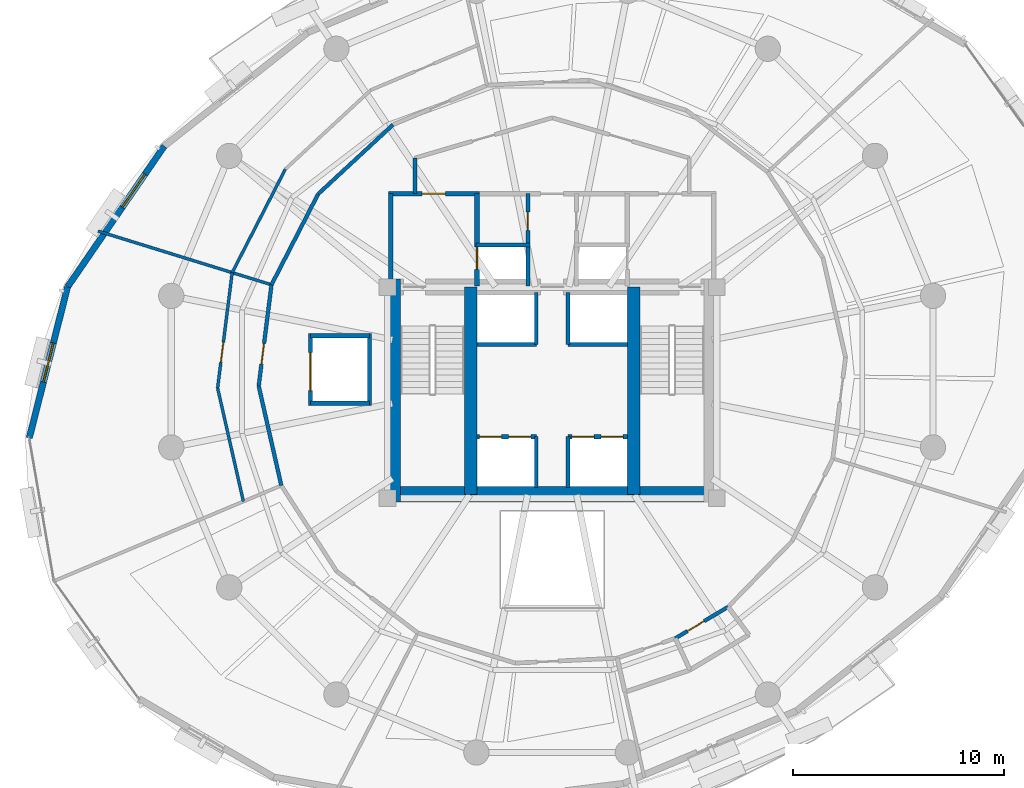
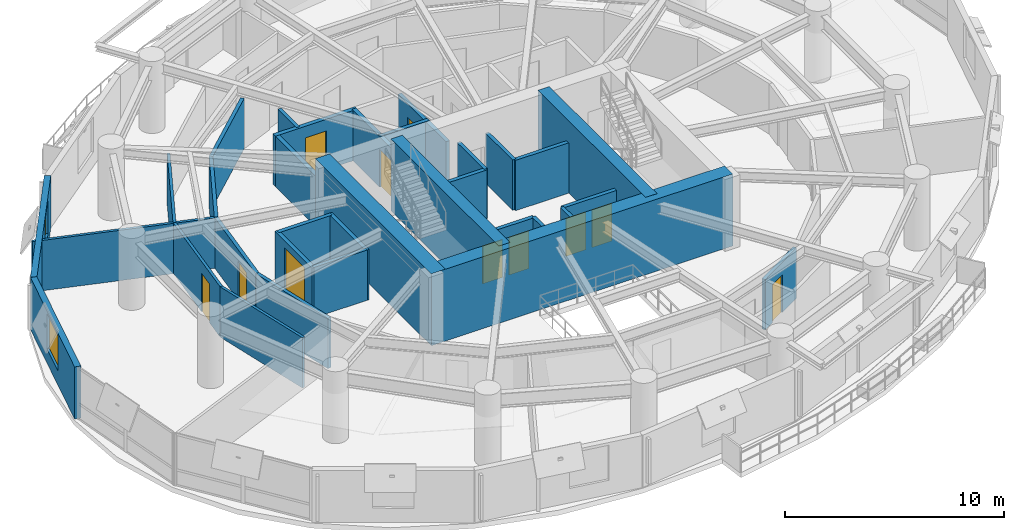
# One storey, part 10 of 14: 33 walls, 11 doors, 2 windows, 13 openings.
"""IFC4 building model written with IfcOpenShell, lengths in metres."""

from ifc_helpers import new_model, si_unit, direction, frame, frame_2d, origin, place, context, subcontext, project, spatial, rectangle, extrude, material, layer, layer_set, type_object, element, fill, save


model = new_model("IFC4")

# Units and contexts
model_context = context("Model", 3, precision=1e-05, world=origin(), true_north=direction((0.0, 1.0)))
body_context = subcontext(model_context, "Body", "Model", "MODEL_VIEW")
ifc_project = project(units=[si_unit("LENGTHUNIT", "METRE"), si_unit("AREAUNIT", "SQUARE_METRE"), si_unit("VOLUMEUNIT", "CUBIC_METRE"), si_unit("PLANEANGLEUNIT", "RADIAN"), si_unit("MASSUNIT", "GRAM", prefix="KILO"), si_unit("THERMODYNAMICTEMPERATUREUNIT", "KELVIN"), si_unit("POWERUNIT", "WATT")], contexts=[model_context])

# Site, building, storey
site_placement = place(None, origin())
site = spatial("IfcSite", under=ifc_project, at=site_placement, CompositionType="ELEMENT")
building_placement = place(site_placement, origin())
building = spatial("IfcBuilding", under=site, at=building_placement, Name="Ocrelia Relay Tower", CompositionType="ELEMENT")
storey_placement = place(building_placement, frame((0.0, 0.0, 129.800048828125)))
storey = spatial("IfcBuildingStorey", under=building, at=storey_placement, Name="L30", CompositionType="ELEMENT", Elevation=129.800048828125)

# Walls
ifc_material_1 = material(Name="Concrete C60/75", Category="concrete")
ifc_layer_1 = layer(ifc_material_1, 0.75, Name="Concrete C60/75")
ifc_layer_set_1 = layer_set([ifc_layer_1], Name="Concrete C60/75")
wall_type_1 = type_object("IfcWallType", Name="CW-CORE-750", PredefinedType="SHEAR", material=ifc_layer_set_1)
wall_1_placement = place(storey_placement, frame((26.072021484375, 20.18701171875, 0.0), z_axis=(0.0, 0.0, 1.0), x_axis=(1.0, 0.0, 0.0)))
element("IfcWall", 1, at=wall_1_placement, inside=storey, type_object=wall_type_1, Name="L30 Core Shear Wall S", PredefinedType="SHEAR", context=body_context, shape_type="SweptSolid", body=[
    extrude(rectangle(XDim=15.865966796875, YDim=0.75, at=frame_2d((7.93310546875, 0.0))), origin(), (0.0, 0.0, 1.0), 4.0),
])
wall_2_placement = place(storey_placement, frame((26.447021484375, 19.81201171875, 0.0), z_axis=(0.0, 0.0, 1.0), x_axis=(0.0, 1.0, 0.0)))
element("IfcWall", 2, at=wall_2_placement, inside=storey, type_object=wall_type_1, Name="L30 Core Shear Wall W", PredefinedType="SHEAR", context=body_context, shape_type="SweptSolid", body=[
    extrude(rectangle(XDim=10.575927734375, YDim=0.75, at=frame_2d((5.2880859375, 0.0))), origin(), (0.0, 0.0, 1.0), 4.0),
])
for number, where, z_axis, x_axis, name in (
    (3, (30.137939453125, 20.18701171875, 0.0), (0.0, 0.0, 1.0), (0.0, 1.0, 0.0), "L30 Core Shear Wall SPW"),
    (4, (37.8720703125, 20.18701171875, 0.0), (0.0, 0.0, 1.0), (0.0, 1.0, 0.0), "L30 Core Shear Wall SPE"),
):
    element("IfcWall", number, at=place(storey_placement, frame(where, z_axis=z_axis, x_axis=x_axis)), inside=storey, type_object=wall_type_1, Name=name, PredefinedType="SHEAR", context=body_context, shape_type="SweptSolid", body=[
        extrude(rectangle(XDim=9.825927734375, YDim=0.60009765625, at=frame_2d((4.9130859375, 0.0))), origin(), (0.0, 0.0, 1.0), 4.0),
    ])
ifc_material_2 = material(Name="Gypsum Fireboard Partition EI60", Category="gypsum")
ifc_layer_2 = layer(ifc_material_2, 0.179931640625, Name="Gypsum Fireboard Partition EI60")
ifc_layer_set_2 = layer_set([ifc_layer_2], Name="Gypsum Fireboard Partition EI60")
wall_type_2 = type_object("IfcWallType", Name="W-CORR-EI60-180", PredefinedType="PARTITIONING", material=ifc_layer_set_2)
wall_3_placement = place(storey_placement, frame((27.5, 34.429931640625, 0.0), z_axis=(0.0, 0.0, 1.0), x_axis=(0.0, 1.0, 0.0)))
element("IfcWall", 5, at=wall_3_placement, inside=storey, type_object=wall_type_2, Name="L30 Smoke Lobby West Return", PredefinedType="PARTITIONING", context=body_context, shape_type="SweptSolid", body=[
    extrude(rectangle(XDim=1.69287109375, YDim=0.179931640625, at=frame_2d((0.846435546875, 0.0))), origin(), (0.0, 0.0, 1.0), 2.800048828125),
])

# Wall, opening, door
wall_4_placement = place(storey_placement, frame((39.8388671875, 13.36376953125, 0.0), z_axis=(0.0, 0.0, 1.0), x_axis=(0.858962586204, 0.512038353546, 0.0)))
wall_4 = element("IfcWall", 6, at=wall_4_placement, inside=storey, type_object=wall_type_2, Name="L30 Accessible Toilet Corridor Wall", PredefinedType="PARTITIONING", context=body_context, shape_type="SweptSolid", body=[
    extrude(rectangle(XDim=2.909912109375, YDim=0.179931640625, at=frame_2d((1.455078125, 0.0))), origin(), (0.0, 0.0, 1.0), 2.800048828125),
])
opening_1_placement = place(wall_4_placement, frame((0.6689453125, 0.0, 0.0)))
opening_1 = element("IfcOpeningElement", 7, at=opening_1_placement, cuts=wall_4, Name="Opening D-WC92", PredefinedType="OPENING", context=body_context, shape_type="SweptSolid", body=[
    extrude(rectangle(XDim=0.919921875, YDim=2.10009765625, at=frame_2d((0.4599609375, 1.050048828125))), frame((0.0, 0.10009765625, 0.0), z_axis=(0.0, -1.0, 0.0), x_axis=(1.0, 0.0, 0.0)), (0.0, 0.0, 1.0), 0.199951171875),
])
ifc_material_3 = material(Name="Laminate washroom door", Category="wood")
door_type_1 = type_object("IfcDoorType", Name="DR-WC-920", OperationType="NOTDEFINED", PredefinedType="DOOR", material=ifc_material_3)
door_1_placement = place(opening_1_placement, origin())
door_1 = element("IfcDoor", 8, at=door_1_placement, inside=storey, type_object=door_type_1, Name="L30 Accessible Toilet Door", OperationType="SINGLE_SWING_LEFT", OverallHeight=2.10009765625, OverallWidth=0.919921875, PredefinedType="DOOR", context=body_context, shape_type="SweptSolid", body=[
    extrude(rectangle(XDim=0.919921875, YDim=2.10009765625, at=frame_2d((0.4599609375, 1.050048828125))), frame((0.0, 0.02490234375, 0.0), z_axis=(0.0, -1.0, 0.0), x_axis=(1.0, 0.0, 0.0)), (0.0, 0.0, 1.0), 0.050048828125),
])
fill(opening_1, door_1)

# Walls
for number, where, z_axis, x_axis, name in (
    (9, (26.45947265625, 37.70068359375, 0.0), (0.0, 0.0, 1.0), (-0.733729902679, -0.679441263035, 0.0), "L30 Equipment Staging Store Corridor Partition 2"),
    (10, (22.912353515625, 34.416015625, 0.0), (0.0, 0.0, 1.0), (-0.45712435145, -0.889402792503, 0.0), "L30 Equipment Staging Store Corridor Partition 3"),
):
    element("IfcWall", number, at=place(storey_placement, frame(where, z_axis=z_axis, x_axis=x_axis)), inside=storey, type_object=wall_type_2, Name=name, PredefinedType="PARTITIONING", context=body_context, shape_type="SweptSolid", body=[
        extrude(rectangle(XDim=4.83447265625, YDim=0.179931640625, at=frame_2d((2.417236328125, 0.0))), origin(), (0.0, 0.0, 1.0), 2.800048828125),
    ])

# Wall, opening, door
wall_5_placement = place(storey_placement, frame((20.702392578125, 30.1162109375, 0.0), z_axis=(0.0, 0.0, 1.0), x_axis=(-0.125296416972, -0.992119351638, 0.0)))
wall_5 = element("IfcWall", 11, at=wall_5_placement, inside=storey, type_object=wall_type_2, Name="L30 Spares Utility Store Corridor Partition 1", PredefinedType="PARTITIONING", context=body_context, shape_type="SweptSolid", body=[
    extrude(rectangle(XDim=4.834228515625, YDim=0.179931640625, at=frame_2d((2.4169921875, 0.0))), origin(), (0.0, 0.0, 1.0), 2.800048828125),
])
opening_2_placement = place(wall_5_placement, frame((2.80078125, 0.0, 0.0)))
opening_2 = element("IfcOpeningElement", 12, at=opening_2_placement, cuts=wall_5, Name="Opening D-RM100", PredefinedType="OPENING", context=body_context, shape_type="SweptSolid", body=[
    extrude(rectangle(XDim=1.0, YDim=2.14990234375, at=frame_2d((0.5, 1.074951171875))), frame((0.0, 0.10009765625, 0.0), z_axis=(0.0, -1.0, 0.0), x_axis=(1.0, 0.0, 0.0)), (0.0, 0.0, 1.0), 0.199951171875),
])
ifc_material_4 = material(Name="Acoustic oak veneer fire door", Category="wood")
door_type_2 = type_object("IfcDoorType", Name="DR-ROOM-FD60-1000", OperationType="NOTDEFINED", PredefinedType="DOOR", material=ifc_material_4)
door_2_placement = place(opening_2_placement, origin())
door_2 = element("IfcDoor", 13, at=door_2_placement, inside=storey, type_object=door_type_2, Name="L30 Spares Utility Store Entrance Door", OperationType="SINGLE_SWING_LEFT", OverallHeight=2.14990234375, OverallWidth=1.0, PredefinedType="DOOR", context=body_context, shape_type="SweptSolid", body=[
    extrude(rectangle(XDim=1.0, YDim=2.14990234375, at=frame_2d((0.5, 1.074951171875))), frame((0.0, 0.02490234375, 0.0), z_axis=(0.0, -1.0, 0.0), x_axis=(1.0, 0.0, 0.0)), (0.0, 0.0, 1.0), 0.050048828125),
])
fill(opening_2, door_2)

# Wall
wall_6_placement = place(storey_placement, frame((20.0966796875, 25.320068359375, 0.0), z_axis=(0.0, 0.0, 1.0), x_axis=(0.221542525612, -0.975150711093, 0.0)))
element("IfcWall", 14, at=wall_6_placement, inside=storey, type_object=wall_type_2, Name="L30 Spares Utility Store Corridor Partition 2", PredefinedType="PARTITIONING", context=body_context, shape_type="SweptSolid", body=[
    extrude(rectangle(XDim=4.83447265625, YDim=0.179931640625, at=frame_2d((2.417236328125, 0.0))), origin(), (0.0, 0.0, 1.0), 2.800048828125),
])

# Wall, opening, window
ifc_material_5 = material(Name="Precast concrete C40/50 with oxide terracotta", Category="masonry")
ifc_layer_3 = layer(ifc_material_5, 0.300048828125, Name="Precast concrete C40/50 with oxide terracotta")
ifc_layer_set_3 = layer_set([ifc_layer_3], Name="Precast concrete C40/50 with oxide terracotta")
wall_type_3 = type_object("IfcWallType", Name="W-EXT-TERR-300", PredefinedType="SOLIDWALL", material=ifc_layer_set_3)
wall_7_placement = place(storey_placement, frame((15.622314453125, 36.6875, 0.0), z_axis=(0.0, 0.0, 1.0), x_axis=(-0.566158848857, -0.824296159072, 0.0)))
wall_7 = element("IfcWall", 15, at=wall_7_placement, inside=storey, type_object=wall_type_3, Name="L30 Oxide Terracotta Facade Wall 07", PredefinedType="SOLIDWALL", context=body_context, shape_type="SweptSolid", body=[
    extrude(rectangle(XDim=8.094970703125, YDim=0.300048828125, at=frame_2d((4.04736328125, 0.0))), origin(), (0.0, 0.0, 1.0), 2.89990234375),
])
opening_3_placement = place(wall_7_placement, frame((1.614990234375, 0.0, 0.800048828125)))
opening_3 = element("IfcOpeningElement", 16, at=opening_3_placement, cuts=wall_7, Name="Opening W-06", PredefinedType="OPENING", context=body_context, shape_type="SweptSolid", body=[
    extrude(rectangle(XDim=1.89990234375, YDim=1.949951171875, at=frame_2d((0.949951171875, 0.97509765625))), frame((0.0, 0.16015625, 0.0), z_axis=(0.0, -1.0, 0.0), x_axis=(1.0, 0.0, 0.0)), (0.0, 0.0, 1.0), 0.320068359375),
])
ifc_material_6 = material(Name="Clear double-glazed low-E glass", Category="glass")
window_type = type_object("IfcWindowType", Name="WIN-Z2-1900x2100", PartitioningType="DOUBLE_PANEL_VERTICAL", PredefinedType="WINDOW", material=ifc_material_6)
window_1_placement = place(opening_3_placement, origin())
window_1 = element("IfcWindow", 17, at=window_1_placement, inside=storey, type_object=window_type, Name="L30 Facade Module Window 07", OverallHeight=1.949951171875, OverallWidth=1.89990234375, PartitioningType="SINGLE_PANEL", PredefinedType="WINDOW", context=body_context, shape_type="SweptSolid", body=[
    extrude(rectangle(XDim=1.89990234375, YDim=1.949951171875, at=frame_2d((0.949951171875, 0.97509765625))), frame((0.0, 0.030029296875, 0.0), z_axis=(0.0, -1.0, 0.0), x_axis=(1.0, 0.0, 0.0)), (0.0, 0.0, 1.0), 0.06005859375),
])
fill(opening_3, window_1)

wall_8_placement = place(storey_placement, frame((11.039306640625, 30.014892578125, 0.0), z_axis=(0.0, 0.0, 1.0), x_axis=(-0.245615389449, -0.969367360945, 0.0)))
wall_8 = element("IfcWall", 18, at=wall_8_placement, inside=storey, type_object=wall_type_3, Name="L30 Oxide Terracotta Facade Wall 08", PredefinedType="SOLIDWALL", context=body_context, shape_type="SweptSolid", body=[
    extrude(rectangle(XDim=7.38330078125, YDim=0.300048828125, at=frame_2d((3.691650390625, 0.0))), origin(), (0.0, 0.0, 1.0), 2.89990234375),
])
opening_4_placement = place(wall_8_placement, frame((2.741943359375, 0.0, 0.800048828125)))
opening_4 = element("IfcOpeningElement", 19, at=opening_4_placement, cuts=wall_8, Name="Opening W-06", PredefinedType="OPENING", context=body_context, shape_type="SweptSolid", body=[
    extrude(rectangle(XDim=1.89990234375, YDim=1.949951171875, at=frame_2d((0.949951171875, 0.97509765625))), frame((0.0, 0.16015625, 0.0), z_axis=(0.0, -1.0, 0.0), x_axis=(1.0, 0.0, 0.0)), (0.0, 0.0, 1.0), 0.320068359375),
])
window_2_placement = place(opening_4_placement, origin())
window_2 = element("IfcWindow", 20, at=window_2_placement, inside=storey, type_object=window_type, Name="L30 Facade Module Window 08", OverallHeight=1.949951171875, OverallWidth=1.89990234375, PartitioningType="SINGLE_PANEL", PredefinedType="WINDOW", context=body_context, shape_type="SweptSolid", body=[
    extrude(rectangle(XDim=1.89990234375, YDim=1.949951171875, at=frame_2d((0.949951171875, 0.97509765625))), frame((0.0, 0.030029296875, 0.0), z_axis=(0.0, -1.0, 0.0), x_axis=(1.0, 0.0, 0.0)), (0.0, 0.0, 1.0), 0.06005859375),
])
fill(opening_4, window_2)

# Wall
ifc_material_7 = material(Name="Concrete C50/60", Category="concrete")
ifc_layer_4 = layer(ifc_material_7, 0.219970703125, Name="Concrete C50/60")
ifc_layer_set_4 = layer_set([ifc_layer_4], Name="Concrete C50/60")
wall_type_4 = type_object("IfcWallType", Name="W-FFL-EI120-220", PredefinedType="SOLIDWALL", material=ifc_layer_set_4)
wall_9_placement = place(storey_placement, frame((26.35009765625, 30.050048828125, 0.0), z_axis=(0.0, 0.0, 1.0), x_axis=(0.0, 1.0, 0.0)))
element("IfcWall", 21, at=wall_9_placement, inside=storey, type_object=wall_type_4, Name="L30 W Fire Service Lift Lobby West Wall", PredefinedType="SOLIDWALL", context=body_context, shape_type="SweptSolid", body=[
    extrude(rectangle(XDim=4.3798828125, YDim=0.219970703125, at=frame_2d((2.18994140625, 0.0))), origin(), (0.0, 0.0, 1.0), 2.800048828125),
])

# Wall, opening, door
wall_10_placement = place(storey_placement, frame((30.43994140625, 30.050048828125, 0.0), z_axis=(0.0, 0.0, 1.0), x_axis=(0.0, 1.0, 0.0)))
wall_10 = element("IfcWall", 22, at=wall_10_placement, inside=storey, type_object=wall_type_4, Name="L30 W Fire Service Lift Lobby East Wall", PredefinedType="SOLIDWALL", context=body_context, shape_type="SweptSolid", body=[
    extrude(rectangle(XDim=4.3798828125, YDim=0.219970703125, at=frame_2d((2.18994140625, 0.0))), origin(), (0.0, 0.0, 1.0), 2.800048828125),
])
opening_5_placement = place(wall_10_placement, frame((0.800048828125, 0.0, 0.0)))
opening_5 = element("IfcOpeningElement", 23, at=opening_5_placement, cuts=wall_10, Name="Opening LD-FFL1", PredefinedType="OPENING", context=body_context, shape_type="SweptSolid", body=[
    extrude(rectangle(XDim=1.050048828125, YDim=2.10009765625, at=frame_2d((0.52490234375, 1.050048828125))), frame((0.0, 0.1201171875, 0.0), z_axis=(0.0, -1.0, 0.0), x_axis=(1.0, 0.0, 0.0)), (0.0, 0.0, 1.0), 0.239990234375),
])
ifc_material_8 = material(Name="Brushed stainless steel S355 lift landing door", Category="steel")
door_type_3 = type_object("IfcDoorType", Name="DR-LIFT-LAND-1050", OperationType="DOUBLE_DOOR_SLIDING", PredefinedType="USERDEFINED", material=ifc_material_8)
door_3_placement = place(opening_5_placement, origin())
door_3 = element("IfcDoor", 24, at=door_3_placement, inside=storey, type_object=door_type_3, Name="L30 Firefighting Lift FFL1 Sliding Landing Door", ObjectType="LANDING DOOR", OperationType="DOUBLE_DOOR_SLIDING", OverallHeight=2.10009765625, OverallWidth=1.050048828125, PredefinedType="USERDEFINED", context=body_context, shape_type="SweptSolid", body=[
    extrude(rectangle(XDim=1.050048828125, YDim=2.10009765625, at=frame_2d((0.52490234375, 1.050048828125))), frame((0.0, 0.02490234375, 0.0), z_axis=(0.0, -1.0, 0.0), x_axis=(1.0, 0.0, 0.0)), (0.0, 0.0, 1.0), 0.050048828125),
])
fill(opening_5, door_3)

wall_11_placement = place(storey_placement, frame((26.239990234375, 34.429931640625, 0.0), z_axis=(0.0, 0.0, 1.0), x_axis=(1.0, 0.0, 0.0)))
wall_11 = element("IfcWall", 25, at=wall_11_placement, inside=storey, type_object=wall_type_4, Name="L30 W Fire Service Lift Lobby North Wall", PredefinedType="SOLIDWALL", context=body_context, shape_type="SweptSolid", body=[
    extrude(rectangle(XDim=4.31005859375, YDim=0.219970703125, at=frame_2d((2.155029296875, 0.0))), origin(), (0.0, 0.0, 1.0), 2.800048828125),
])
opening_6_placement = place(wall_11_placement, frame((1.60009765625, 0.0, 0.0)))
opening_6 = element("IfcOpeningElement", 26, at=opening_6_placement, cuts=wall_11, Name="Opening D-FD60", PredefinedType="OPENING", context=body_context, shape_type="SweptSolid", body=[
    extrude(rectangle(XDim=1.10009765625, YDim=2.14990234375, at=frame_2d((0.550048828125, 1.074951171875))), frame((0.0, 0.1201171875, 0.0), z_axis=(0.0, -1.0, 0.0), x_axis=(1.0, 0.0, 0.0)), (0.0, 0.0, 1.0), 0.239990234375),
])
ifc_material_9 = material(Name="Timber-core 60-min acoustic fire door", Category="wood")
door_type_4 = type_object("IfcDoorType", Name="DR-LOBBY-FD60-1100", OperationType="NOTDEFINED", PredefinedType="DOOR", material=ifc_material_9)
door_4_placement = place(opening_6_placement, origin())
door_4 = element("IfcDoor", 27, at=door_4_placement, inside=storey, type_object=door_type_4, Name="L30 W Fire Service Lift Lobby Exit Door", OperationType="SINGLE_SWING_LEFT", OverallHeight=2.14990234375, OverallWidth=1.10009765625, PredefinedType="DOOR", context=body_context, shape_type="SweptSolid", body=[
    extrude(rectangle(XDim=1.10009765625, YDim=2.14990234375, at=frame_2d((0.550048828125, 1.074951171875))), frame((0.0, 0.02490234375, 0.0), z_axis=(0.0, -1.0, 0.0), x_axis=(1.0, 0.0, 0.0)), (0.0, 0.0, 1.0), 0.050048828125),
])
fill(opening_6, door_4)

# Walls
ifc_material_10 = material(Name="Acoustic Fireboard Partition EI60", Category="gypsum")
ifc_layer_5 = layer(ifc_material_10, 0.139892578125, Name="Acoustic Fireboard Partition EI60")
ifc_layer_set_5 = layer_set([ifc_layer_5], Name="Acoustic Fireboard Partition EI60")
wall_type_5 = type_object("IfcWallType", Name="W-PART-140", PredefinedType="PARTITIONING", material=ifc_layer_set_5)
wall_12_placement = place(storey_placement, frame((20.702392578125, 30.1162109375, 0.0), z_axis=(0.0, 0.0, 1.0), x_axis=(-0.955272723626, 0.295726264467, 0.0)))
element("IfcWall", 28, at=wall_12_placement, inside=storey, type_object=wall_type_5, Name="L30 Equipment Staging Store Radial Partition", PredefinedType="PARTITIONING", context=body_context, shape_type="SweptSolid", body=[
    extrude(rectangle(XDim=8.604736328125, YDim=0.139892578125, at=frame_2d((4.30224609375, 0.0))), origin(), (0.0, 0.0, 1.0), 2.800048828125),
])
wall_13_placement = place(storey_placement, frame((21.359130859375, 35.594970703125, 0.0), z_axis=(0.0, 0.0, 1.0), x_axis=(-0.457125807765, -0.889402044002, 0.0)))
element("IfcWall", 29, at=wall_13_placement, inside=storey, type_object=wall_type_5, Name="L30 Perimeter Equipment Staging Store Mid-Ring Partition 3", PredefinedType="PARTITIONING", context=body_context, shape_type="SweptSolid", body=[
    extrude(rectangle(XDim=5.51171875, YDim=0.139892578125, at=frame_2d((2.755859375, 0.0))), origin(), (0.0, 0.0, 1.0), 2.800048828125),
])

# Wall, opening, door
wall_14_placement = place(storey_placement, frame((18.839599609375, 30.69287109375, 0.0), z_axis=(0.0, 0.0, 1.0), x_axis=(-0.12531583285, -0.992116899381, 0.0)))
wall_14 = element("IfcWall", 30, at=wall_14_placement, inside=storey, type_object=wall_type_5, Name="L30 Perimeter Spares Utility Store Mid-Ring Partition 1", PredefinedType="PARTITIONING", context=body_context, shape_type="SweptSolid", body=[
    extrude(rectangle(XDim=5.511474609375, YDim=0.139892578125, at=frame_2d((2.755859375, 0.0))), origin(), (0.0, 0.0, 1.0), 2.800048828125),
])
opening_7_placement = place(wall_14_placement, frame((3.331298828125, 0.0, 0.0)))
opening_7 = element("IfcOpeningElement", 31, at=opening_7_placement, cuts=wall_14, Name="Opening D-RM95", PredefinedType="OPENING", context=body_context, shape_type="SweptSolid", body=[
    extrude(rectangle(XDim=0.949951171875, YDim=2.14990234375, at=frame_2d((0.47509765625, 1.074951171875))), frame((0.0, 0.080078125, 0.0), z_axis=(0.0, -1.0, 0.0), x_axis=(1.0, 0.0, 0.0)), (0.0, 0.0, 1.0), 0.159912109375),
])
door_type_5 = type_object("IfcDoorType", Name="DR-ROOM-950", OperationType="NOTDEFINED", PredefinedType="DOOR", material=ifc_material_4)
door_5_placement = place(opening_7_placement, origin())
door_5 = element("IfcDoor", 32, at=door_5_placement, inside=storey, type_object=door_type_5, Name="L30 Perimeter Spares Utility Store Connecting Door", OperationType="SINGLE_SWING_RIGHT", OverallHeight=2.14990234375, OverallWidth=0.949951171875, PredefinedType="DOOR", context=body_context, shape_type="SweptSolid", body=[
    extrude(rectangle(XDim=0.949951171875, YDim=2.14990234375, at=frame_2d((0.47509765625, 1.074951171875))), frame((0.0, 0.02490234375, 0.0), z_axis=(0.0, -1.0, 0.0), x_axis=(1.0, 0.0, 0.0)), (0.0, 0.0, 1.0), 0.050048828125),
])
fill(opening_7, door_5)

# Walls
wall_15_placement = place(storey_placement, frame((18.14892578125, 25.224853515625, 0.0), z_axis=(0.0, 0.0, 1.0), x_axis=(0.221561753592, -0.975146342528, 0.0)))
element("IfcWall", 33, at=wall_15_placement, inside=storey, type_object=wall_type_5, Name="L30 Perimeter Spares Utility Store Mid-Ring Partition 2", PredefinedType="PARTITIONING", context=body_context, shape_type="SweptSolid", body=[
    extrude(rectangle(XDim=5.51171875, YDim=0.139892578125, at=frame_2d((2.755859375, 0.0))), origin(), (0.0, 0.0, 1.0), 2.800048828125),
])
ifc_layer_6 = layer(ifc_material_7, 0.199951171875, Name="Concrete C50/60")
ifc_layer_set_6 = layer_set([ifc_layer_6], Name="Concrete C50/60")
wall_type_6 = type_object("IfcWallType", Name="W-SHAFT-EI120-200", PredefinedType="SOLIDWALL", material=ifc_layer_set_6)
wall_16_placement = place(storey_placement, frame((30.39990234375, 32.0, 0.0), z_axis=(0.0, 0.0, 1.0), x_axis=(1.0, 0.0, 0.0)))
element("IfcWall", 34, at=wall_16_placement, inside=storey, type_object=wall_type_6, Name="L30 FFL1 Hoistway North Wall", PredefinedType="SOLIDWALL", context=body_context, shape_type="SweptSolid", body=[
    extrude(rectangle(XDim=2.550048828125, YDim=0.199951171875, at=frame_2d((1.27490234375, 0.0))), origin(), (0.0, 0.0, 1.0), 2.800048828125),
])

# Wall, opening, door
wall_17_placement = place(storey_placement, frame((32.85009765625, 30.050048828125, 0.0), z_axis=(0.0, 0.0, 1.0), x_axis=(0.0, 1.0, 0.0)))
wall_17 = element("IfcWall", 35, at=wall_17_placement, inside=storey, type_object=wall_type_6, Name="L30 FFL1 and Service Vestibule Wall", PredefinedType="SOLIDWALL", context=body_context, shape_type="SweptSolid", body=[
    extrude(rectangle(XDim=4.3798828125, YDim=0.199951171875, at=frame_2d((2.18994140625, 0.0))), origin(), (0.0, 0.0, 1.0), 2.800048828125),
])
opening_8_placement = place(wall_17_placement, frame((2.64990234375, 0.0, 0.0)))
opening_8 = element("IfcOpeningElement", 36, at=opening_8_placement, cuts=wall_17, Name="Opening D-RS86", PredefinedType="OPENING", context=body_context, shape_type="SweptSolid", body=[
    extrude(rectangle(XDim=0.860107421875, YDim=2.050048828125, at=frame_2d((0.43017578125, 1.02490234375))), frame((0.0, 0.10986328125, 0.0), z_axis=(0.0, -1.0, 0.0), x_axis=(1.0, 0.0, 0.0)), (0.0, 0.0, 1.0), 0.219970703125),
])
ifc_material_11 = material(Name="Steel S355 riser access fire door", Category="steel")
door_type_6 = type_object("IfcDoorType", Name="DR-RISER-TRAP-860", OperationType="NOTDEFINED", PredefinedType="TRAPDOOR", material=ifc_material_11)
door_6_placement = place(opening_8_placement, origin())
door_6 = element("IfcDoor", 37, at=door_6_placement, inside=storey, type_object=door_type_6, Name="L30 Core Support Room W Door", OperationType="SINGLE_SWING_RIGHT", OverallHeight=2.050048828125, OverallWidth=0.860107421875, PredefinedType="TRAPDOOR", context=body_context, shape_type="SweptSolid", body=[
    extrude(rectangle(XDim=0.860107421875, YDim=2.050048828125, at=frame_2d((0.43017578125, 1.02490234375))), frame((0.0, 0.02490234375, 0.0), z_axis=(0.0, -1.0, 0.0), x_axis=(1.0, 0.0, 0.0)), (0.0, 0.0, 1.0), 0.050048828125),
])
fill(opening_8, door_6)

# Wall, openings, doors
wall_18_placement = place(storey_placement, frame((30.43994140625, 22.919921875, 0.0), z_axis=(0.0, 0.0, 1.0), x_axis=(1.0, 0.0, 0.0)))
wall_18 = element("IfcWall", 38, at=wall_18_placement, inside=storey, type_object=wall_type_6, Name="L30 Low-Rise Lift Hoistway Wall W", PredefinedType="SOLIDWALL", context=body_context, shape_type="SweptSolid", body=[
    extrude(rectangle(XDim=2.81005859375, YDim=0.199951171875, at=frame_2d((1.405029296875, 0.0))), origin(), (0.0, 0.0, 1.0), 2.800048828125),
])
opening_9_placement = place(wall_18_placement, frame((0.1201171875, 0.0, 0.0)))
opening_9 = element("IfcOpeningElement", 39, at=opening_9_placement, cuts=wall_18, Name="Opening LD-PL1", PredefinedType="OPENING", context=body_context, shape_type="SweptSolid", body=[
    extrude(rectangle(XDim=1.050048828125, YDim=2.10009765625, at=frame_2d((0.52490234375, 1.050048828125))), frame((0.0, 0.10986328125, 0.0), z_axis=(0.0, -1.0, 0.0), x_axis=(1.0, 0.0, 0.0)), (0.0, 0.0, 1.0), 0.219970703125),
])
opening_10_placement = place(wall_18_placement, frame((1.5, 0.0, 0.0)))
opening_10 = element("IfcOpeningElement", 40, at=opening_10_placement, cuts=wall_18, Name="Opening LD-PL2", PredefinedType="OPENING", context=body_context, shape_type="SweptSolid", body=[
    extrude(rectangle(XDim=1.050048828125, YDim=2.10009765625, at=frame_2d((0.52490234375, 1.050048828125))), frame((0.0, 0.10986328125, 0.0), z_axis=(0.0, -1.0, 0.0), x_axis=(1.0, 0.0, 0.0)), (0.0, 0.0, 1.0), 0.219970703125),
])
door_7_placement = place(opening_9_placement, origin())
door_7 = element("IfcDoor", 41, at=door_7_placement, inside=storey, type_object=door_type_3, Name="L30 Passenger Lift PL1 Sliding Landing Door", ObjectType="LANDING DOOR", OperationType="DOUBLE_DOOR_SLIDING", OverallHeight=2.10009765625, OverallWidth=1.050048828125, PredefinedType="USERDEFINED", context=body_context, shape_type="SweptSolid", body=[
    extrude(rectangle(XDim=1.050048828125, YDim=2.10009765625, at=frame_2d((0.52490234375, 1.050048828125))), frame((0.0, 0.02490234375, 0.0), z_axis=(0.0, -1.0, 0.0), x_axis=(1.0, 0.0, 0.0)), (0.0, 0.0, 1.0), 0.050048828125),
])
fill(opening_9, door_7)
door_8_placement = place(opening_10_placement, origin())
door_8 = element("IfcDoor", 42, at=door_8_placement, inside=storey, type_object=door_type_3, Name="L30 Passenger Lift PL2 Sliding Landing Door", ObjectType="LANDING DOOR", OperationType="DOUBLE_DOOR_SLIDING", OverallHeight=2.10009765625, OverallWidth=1.050048828125, PredefinedType="USERDEFINED", context=body_context, shape_type="SweptSolid", body=[
    extrude(rectangle(XDim=1.050048828125, YDim=2.10009765625, at=frame_2d((0.52490234375, 1.050048828125))), frame((0.0, 0.02490234375, 0.0), z_axis=(0.0, -1.0, 0.0), x_axis=(1.0, 0.0, 0.0)), (0.0, 0.0, 1.0), 0.050048828125),
])
fill(opening_10, door_8)

# Wall
wall_19_placement = place(storey_placement, frame((33.25, 20.5, 0.0), z_axis=(0.0, 0.0, 1.0), x_axis=(0.0, 1.0, 0.0)))
element("IfcWall", 43, at=wall_19_placement, inside=storey, type_object=wall_type_6, Name="L30 Low-Rise Lift Throat Wall W", PredefinedType="SOLIDWALL", context=body_context, shape_type="SweptSolid", body=[
    extrude(rectangle(XDim=2.419921875, YDim=0.179931640625, at=frame_2d((1.2099609375, 0.0))), origin(), (0.0, 0.0, 1.0), 2.800048828125),
])

# Wall, openings, doors
wall_20_placement = place(storey_placement, frame((34.75, 22.919921875, 0.0), z_axis=(0.0, 0.0, 1.0), x_axis=(1.0, 0.0, 0.0)))
wall_20 = element("IfcWall", 44, at=wall_20_placement, inside=storey, type_object=wall_type_6, Name="L30 Low-Rise Lift Hoistway Wall E", PredefinedType="SOLIDWALL", context=body_context, shape_type="SweptSolid", body=[
    extrude(rectangle(XDim=2.81005859375, YDim=0.199951171875, at=frame_2d((1.405029296875, 0.0))), origin(), (0.0, 0.0, 1.0), 2.800048828125),
])
opening_11_placement = place(wall_20_placement, frame((0.18994140625, 0.0, 0.0)))
opening_11 = element("IfcOpeningElement", 45, at=opening_11_placement, cuts=wall_20, Name="Opening LD-PL3", PredefinedType="OPENING", context=body_context, shape_type="SweptSolid", body=[
    extrude(rectangle(XDim=1.050048828125, YDim=2.10009765625, at=frame_2d((0.52490234375, 1.050048828125))), frame((0.0, 0.10986328125, 0.0), z_axis=(0.0, -1.0, 0.0), x_axis=(1.0, 0.0, 0.0)), (0.0, 0.0, 1.0), 0.219970703125),
])
opening_12_placement = place(wall_20_placement, frame((1.570068359375, 0.0, 0.0)))
opening_12 = element("IfcOpeningElement", 46, at=opening_12_placement, cuts=wall_20, Name="Opening LD-PL4", PredefinedType="OPENING", context=body_context, shape_type="SweptSolid", body=[
    extrude(rectangle(XDim=1.050048828125, YDim=2.10009765625, at=frame_2d((0.52490234375, 1.050048828125))), frame((0.0, 0.10986328125, 0.0), z_axis=(0.0, -1.0, 0.0), x_axis=(1.0, 0.0, 0.0)), (0.0, 0.0, 1.0), 0.219970703125),
])
door_9_placement = place(opening_11_placement, origin())
door_9 = element("IfcDoor", 47, at=door_9_placement, inside=storey, type_object=door_type_3, Name="L30 Passenger Lift PL3 Sliding Landing Door", ObjectType="LANDING DOOR", OperationType="DOUBLE_DOOR_SLIDING", OverallHeight=2.10009765625, OverallWidth=1.050048828125, PredefinedType="USERDEFINED", context=body_context, shape_type="SweptSolid", body=[
    extrude(rectangle(XDim=1.050048828125, YDim=2.10009765625, at=frame_2d((0.52490234375, 1.050048828125))), frame((0.0, 0.02490234375, 0.0), z_axis=(0.0, -1.0, 0.0), x_axis=(1.0, 0.0, 0.0)), (0.0, 0.0, 1.0), 0.050048828125),
])
fill(opening_11, door_9)
door_10_placement = place(opening_12_placement, origin())
door_10 = element("IfcDoor", 48, at=door_10_placement, inside=storey, type_object=door_type_3, Name="L30 Passenger Lift PL4 Sliding Landing Door", ObjectType="LANDING DOOR", OperationType="DOUBLE_DOOR_SLIDING", OverallHeight=2.10009765625, OverallWidth=1.050048828125, PredefinedType="USERDEFINED", context=body_context, shape_type="SweptSolid", body=[
    extrude(rectangle(XDim=1.050048828125, YDim=2.10009765625, at=frame_2d((0.52490234375, 1.050048828125))), frame((0.0, 0.02490234375, 0.0), z_axis=(0.0, -1.0, 0.0), x_axis=(1.0, 0.0, 0.0)), (0.0, 0.0, 1.0), 0.050048828125),
])
fill(opening_12, door_10)

# Walls
wall_21_placement = place(storey_placement, frame((34.75, 20.5, 0.0), z_axis=(0.0, 0.0, 1.0), x_axis=(0.0, 1.0, 0.0)))
element("IfcWall", 49, at=wall_21_placement, inside=storey, type_object=wall_type_6, Name="L30 Low-Rise Lift Throat Wall E", PredefinedType="SOLIDWALL", context=body_context, shape_type="SweptSolid", body=[
    extrude(rectangle(XDim=2.419921875, YDim=0.179931640625, at=frame_2d((1.2099609375, 0.0))), origin(), (0.0, 0.0, 1.0), 2.800048828125),
])
wall_22_placement = place(storey_placement, frame((30.43994140625, 27.280029296875, 0.0), z_axis=(0.0, 0.0, 1.0), x_axis=(1.0, 0.0, 0.0)))
element("IfcWall", 50, at=wall_22_placement, inside=storey, type_object=wall_type_6, Name="L30 High-Rise Lift Hoistway Wall W", PredefinedType="SOLIDWALL", context=body_context, shape_type="SweptSolid", body=[
    extrude(rectangle(XDim=2.81005859375, YDim=0.199951171875, at=frame_2d((1.405029296875, 0.0))), origin(), (0.0, 0.0, 1.0), 2.800048828125),
])
wall_23_placement = place(storey_placement, frame((33.25, 27.280029296875, 0.0), z_axis=(0.0, 0.0, 1.0), x_axis=(0.0, 1.0, 0.0)))
element("IfcWall", 51, at=wall_23_placement, inside=storey, type_object=wall_type_6, Name="L30 High-Rise Lift Throat Wall W", PredefinedType="SOLIDWALL", context=body_context, shape_type="SweptSolid", body=[
    extrude(rectangle(XDim=2.469970703125, YDim=0.179931640625, at=frame_2d((1.23486328125, 0.0))), origin(), (0.0, 0.0, 1.0), 2.800048828125),
])
wall_24_placement = place(storey_placement, frame((34.75, 27.280029296875, 0.0), z_axis=(0.0, 0.0, 1.0), x_axis=(1.0, 0.0, 0.0)))
element("IfcWall", 52, at=wall_24_placement, inside=storey, type_object=wall_type_6, Name="L30 High-Rise Lift Hoistway Wall E", PredefinedType="SOLIDWALL", context=body_context, shape_type="SweptSolid", body=[
    extrude(rectangle(XDim=2.81005859375, YDim=0.199951171875, at=frame_2d((1.405029296875, 0.0))), origin(), (0.0, 0.0, 1.0), 2.800048828125),
])
wall_25_placement = place(storey_placement, frame((34.75, 27.280029296875, 0.0), z_axis=(0.0, 0.0, 1.0), x_axis=(0.0, 1.0, 0.0)))
element("IfcWall", 53, at=wall_25_placement, inside=storey, type_object=wall_type_6, Name="L30 High-Rise Lift Throat Wall E", PredefinedType="SOLIDWALL", context=body_context, shape_type="SweptSolid", body=[
    extrude(rectangle(XDim=2.469970703125, YDim=0.179931640625, at=frame_2d((1.23486328125, 0.0))), origin(), (0.0, 0.0, 1.0), 2.800048828125),
])

# Wall, opening, door
wall_26_placement = place(storey_placement, frame((22.550048828125, 24.39990234375, 0.0), z_axis=(0.0, 0.0, 1.0), x_axis=(0.0, 1.0, 0.0)))
wall_26 = element("IfcWall", 54, at=wall_26_placement, inside=storey, type_object=wall_type_6, Name="L30 Goods Lift Shaft West Wall", PredefinedType="SOLIDWALL", context=body_context, shape_type="SweptSolid", body=[
    extrude(rectangle(XDim=3.400146484375, YDim=0.199951171875, at=frame_2d((1.7001953125, 0.0))), origin(), (0.0, 0.0, 1.0), 2.800048828125),
])
opening_13_placement = place(wall_26_placement, frame((0.699951171875, 0.0, 0.0)))
opening_13 = element("IfcOpeningElement", 55, at=opening_13_placement, cuts=wall_26, Name="Opening LD-GL1", PredefinedType="OPENING", context=body_context, shape_type="SweptSolid", body=[
    extrude(rectangle(XDim=1.800048828125, YDim=2.39990234375, at=frame_2d((0.89990234375, 1.199951171875))), frame((0.0, 0.10986328125, 0.0), z_axis=(0.0, -1.0, 0.0), x_axis=(1.0, 0.0, 0.0)), (0.0, 0.0, 1.0), 0.219970703125),
])
ifc_material_12 = material(Name="Heavy-duty stainless steel S355 goods landing door", Category="steel")
door_type_7 = type_object("IfcDoorType", Name="DR-GOODS-LAND-1800", OperationType="DOUBLE_DOOR_SLIDING", PredefinedType="USERDEFINED", material=ifc_material_12)
door_11_placement = place(opening_13_placement, origin())
door_11 = element("IfcDoor", 56, at=door_11_placement, inside=storey, type_object=door_type_7, Name="L30 Goods Lift GL1 Sliding Landing Door", ObjectType="LANDING DOOR", OperationType="DOUBLE_DOOR_SLIDING", OverallHeight=2.39990234375, OverallWidth=1.800048828125, PredefinedType="USERDEFINED", context=body_context, shape_type="SweptSolid", body=[
    extrude(rectangle(XDim=1.800048828125, YDim=2.39990234375, at=frame_2d((0.89990234375, 1.199951171875))), frame((0.0, 0.02490234375, 0.0), z_axis=(0.0, -1.0, 0.0), x_axis=(1.0, 0.0, 0.0)), (0.0, 0.0, 1.0), 0.050048828125),
])
fill(opening_13, door_11)

# Walls
wall_27_placement = place(storey_placement, frame((25.35009765625, 24.39990234375, 0.0), z_axis=(0.0, 0.0, 1.0), x_axis=(0.0, 1.0, 0.0)))
element("IfcWall", 57, at=wall_27_placement, inside=storey, type_object=wall_type_6, Name="L30 Goods Lift Shaft E Wall", PredefinedType="SOLIDWALL", context=body_context, shape_type="SweptSolid", body=[
    extrude(rectangle(XDim=3.400146484375, YDim=0.199951171875, at=frame_2d((1.7001953125, 0.0))), origin(), (0.0, 0.0, 1.0), 2.800048828125),
])
for number, where, z_axis, x_axis, name in (
    (58, (22.550048828125, 24.5, 0.0), (0.0, 0.0, 1.0), (1.0, 0.0, 0.0), "L30 Goods Lift Shaft S Wall"),
    (59, (22.550048828125, 27.699951171875, 0.0), (0.0, 0.0, 1.0), (1.0, 0.0, 0.0), "L30 Goods Lift Shaft N Wall"),
):
    element("IfcWall", number, at=place(storey_placement, frame(where, z_axis=z_axis, x_axis=x_axis)), inside=storey, type_object=wall_type_6, Name=name, PredefinedType="SOLIDWALL", context=body_context, shape_type="SweptSolid", body=[
        extrude(rectangle(XDim=2.800048828125, YDim=0.199951171875, at=frame_2d((1.39990234375, 0.0))), origin(), (0.0, 0.0, 1.0), 2.800048828125),
    ])

save(model, "model.ifc")
